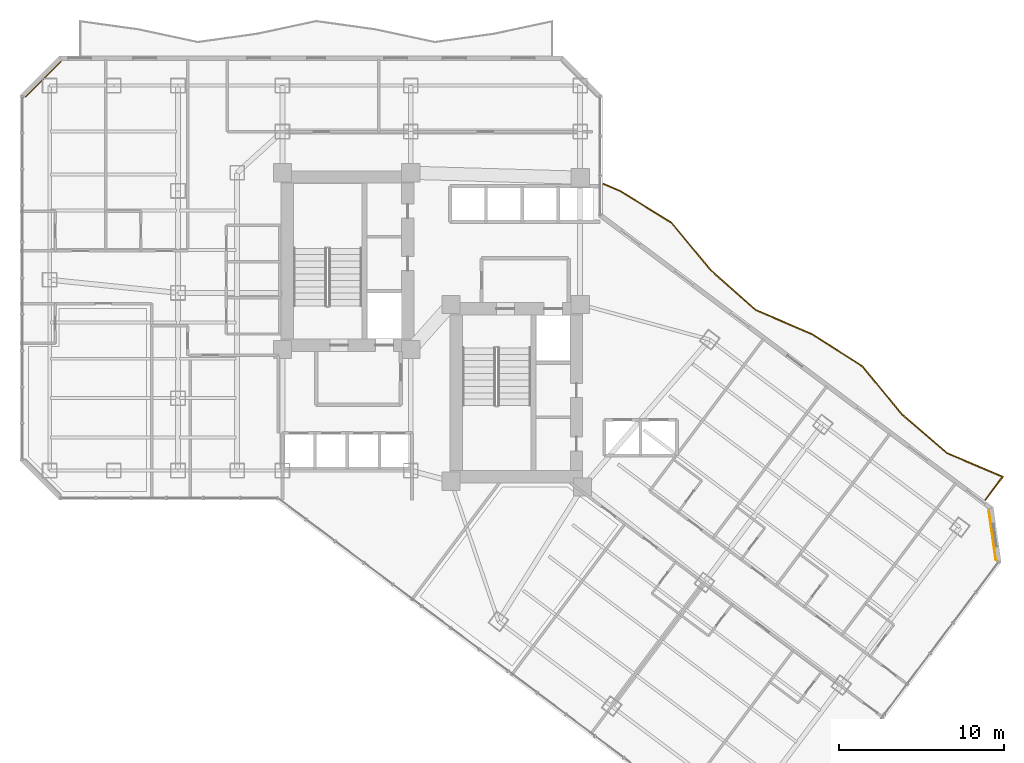
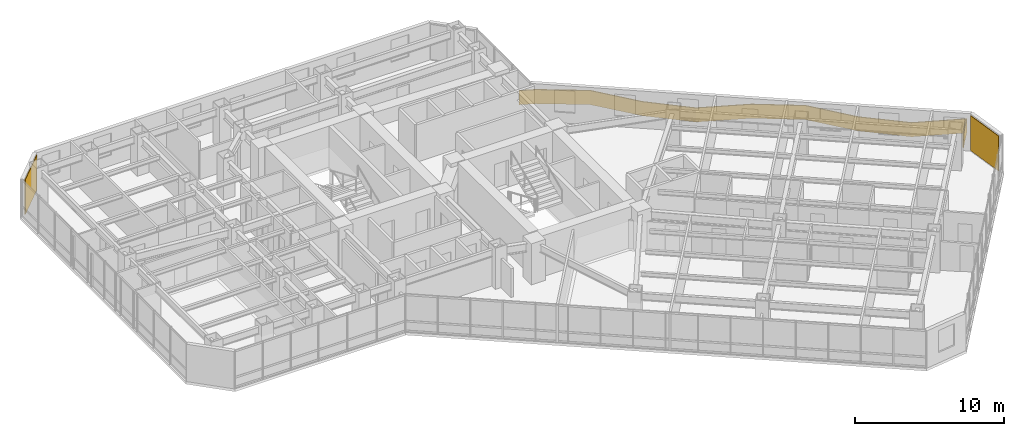
# One storey, part 34 of 36: 2 coverings, 1 railing.
"""IFC4 building model written with IfcOpenShell, lengths in metres."""

from ifc_helpers import new_model, si_unit, direction, frame, origin, origin_2d, place, context, subcontext, project, spatial, polyline, rectangle, outline, extrude, material, layer, layer_set, type_object, element, save


model = new_model("IFC4")

# Units and contexts
model_context = context("Model", 3, precision=1e-05, world=origin(), true_north=direction((0.0, 1.0)))
body_context = subcontext(model_context, "Body", "Model", "MODEL_VIEW")
ifc_project = project(units=[si_unit("LENGTHUNIT", "METRE"), si_unit("AREAUNIT", "SQUARE_METRE"), si_unit("VOLUMEUNIT", "CUBIC_METRE"), si_unit("PLANEANGLEUNIT", "RADIAN"), si_unit("MASSUNIT", "GRAM", prefix="KILO")], contexts=[model_context])

# Site, building, storey
site_placement = place(None, origin())
site = spatial("IfcSite", under=ifc_project, at=site_placement, CompositionType="ELEMENT")
building_placement = place(site_placement, origin())
building = spatial("IfcBuilding", under=site, at=building_placement, Name="Hatsunagi Terrace Concourse", CompositionType="ELEMENT")
storey_placement = place(building_placement, frame((0.0, 0.0, 88.0)))
storey = spatial("IfcBuildingStorey", under=building, at=storey_placement, Name="L23", CompositionType="ELEMENT", Elevation=88.0)

# Railing
ifc_material_1 = material(Name="Laminated Glass and Stainless Steel Guard", Category="steel")
ifc_layer_1 = layer(ifc_material_1, 0.070068359375)
ifc_layer_set_1 = layer_set([ifc_layer_1], Name="BalconyGlassGuardRail_1150")
railing_type = type_object("IfcRailingType", Name="BalconyGlassGuardRail_1150", PredefinedType="BALUSTRADE", material=ifc_layer_set_1)
railing_placement = place(storey_placement, origin())
element("IfcRailing", 1, at=railing_placement, inside=storey, type_object=railing_type, Name="Engawa Balcony Guard GRD-01 L23-BSE-1", PredefinedType="BALUSTRADE", context=body_context, shape_type="SweptSolid", body=[
    extrude(outline(polyline([(45.06005859375, 42.673095703125), (45.031982421875, 42.60888671875), (46.07470703125, 42.15478515625), (49.16162109375, 40.248291015625), (51.540771484375, 37.376708984375), (54.281005859375, 34.941162109375), (57.7216796875, 33.4619140625), (60.776611328125, 31.514404296875), (63.14794921875, 28.62939453125), (65.918212890625, 26.23486328125), (69.275146484375, 24.808349609375), (68.241943359375, 23.430908203125), (68.298095703125, 23.388916015625), (69.384765625, 24.837646484375), (65.955810546875, 26.295166015625), (63.197998046875, 28.678466796875), (60.823486328125, 31.5673828125), (57.75439453125, 33.52392578125), (54.319091796875, 35.0009765625), (51.59130859375, 37.42529296875), (49.208251953125, 40.3017578125), (46.107421875, 42.217041015625), (45.06005859375, 42.673095703125)])), origin(), (0.0, 0.0, 1.0), 1.14990234375),
])

# Coverings
ifc_material_2 = material(Name="Unglazed Warm Terracotta Rainscreen Tile", Category="masonry")
ifc_layer_2 = layer(ifc_material_2, 0.044921875)
ifc_layer_set_2 = layer_set([ifc_layer_2], Name="TerracottaRainscreenCladding_45")
covering_type = type_object("IfcCoveringType", Name="TerracottaRainscreenCladding_45", PredefinedType="CLADDING", material=ifc_layer_set_2)
for number, where, z_axis, x_axis, name in (
    (2, (68.700927734375, 21.258056640625, 0.099853515625), (0.0, 0.0, 1.0), (0.141250262458, -0.989973920543, 0.0), "Terracotta Rainscreen Cladding L23-02"),
    (3, (11.013916015625, 48.986083984375, 0.099853515625), (0.0, 0.0, 1.0), (0.707106781187, 0.707106781187, 0.0), "Terracotta Rainscreen Cladding L23-10"),
):
    element("IfcCovering", number, at=place(storey_placement, frame(where, z_axis=z_axis, x_axis=x_axis)), inside=storey, type_object=covering_type, Name=name, PredefinedType="CLADDING", context=body_context, shape_type="SweptSolid", body=[
        extrude(rectangle(XDim=3.0380859375, YDim=0.044921875, at=origin_2d()), origin(), (0.0, 0.0, 1.0), 2.85009765625),
    ])

save(model, "model.ifc")
